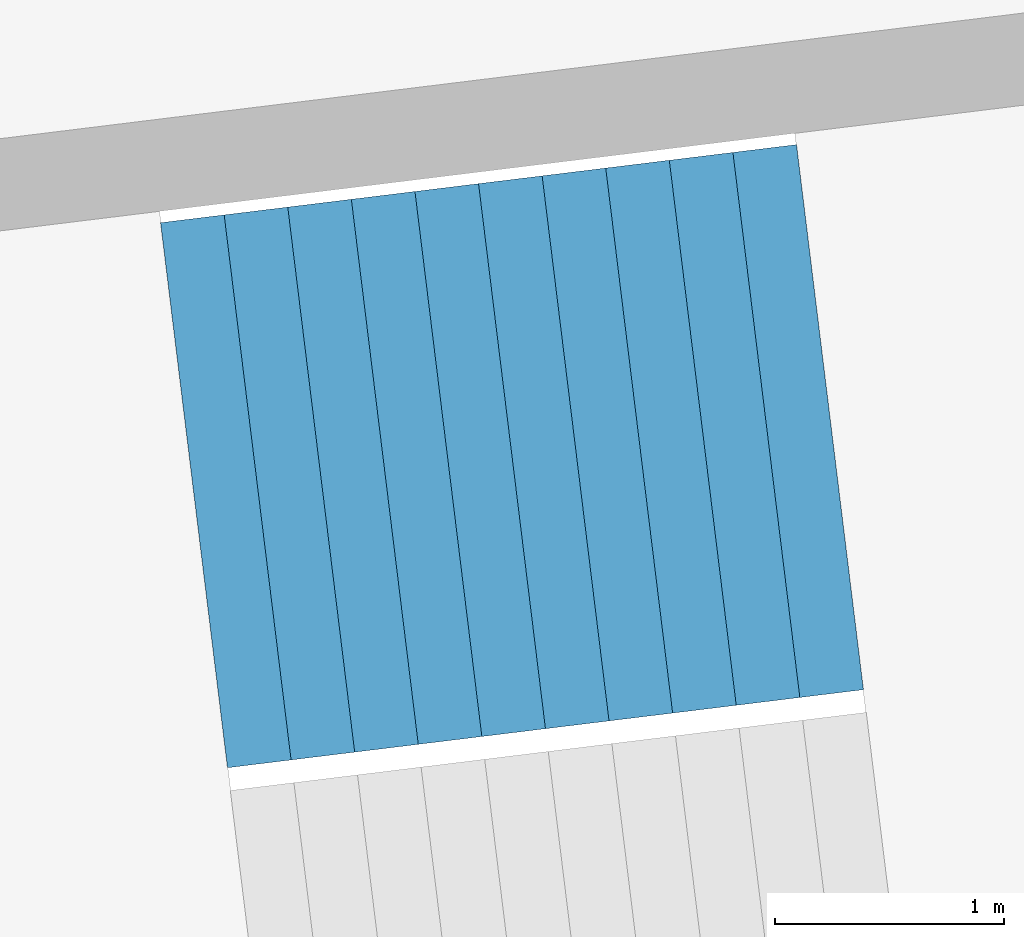
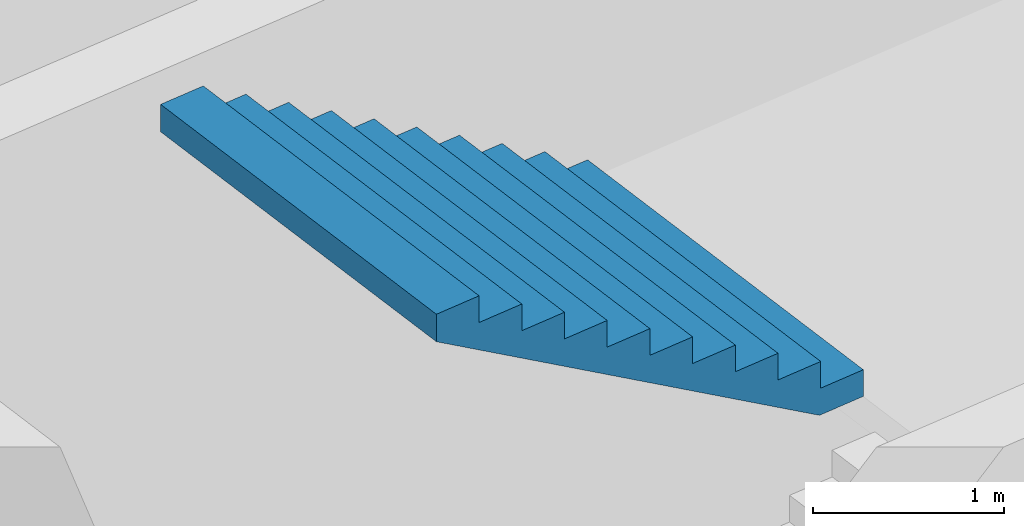
# One storey, part 60 of 73: 1 stair flight, 1 element without a shape of its own.
"""IFC4 building model written with IfcOpenShell, lengths in metres."""

import ifcopenshell
import ifcopenshell.guid

model = None  # the IFC model being written
_history = None  # IfcOwnerHistory: only IFC2X3 demands one
_inside = {}  # id of a spatial element -> (the spatial element, [elements in it])
_under = {}  # id of a project, library or spatial element -> (it, [spatial elements below it])
_declared = {}  # id of a project -> (the project, [libraries it declares])
_typed = {}  # id of a type object -> (the type object, [elements of that type])
_made_of = {}  # id of a material, layer set ... -> (it, [elements and type objects made of it])


def new_model(schema):
    """Start an empty IFC model of exactly this schema.

    Asked for "IFC4X3", IfcOpenShell would pick the latest addendum, in which some entities
    have other attributes; the version numbers below select the first issue.
    IFC2X3 requires an IfcOwnerHistory on every rooted entity: one is made here for all.
    """
    global model, _history
    if schema == "IFC4X3":
        model = ifcopenshell.file(schema_version=(4, 3, 0, 0))
    else:
        model = ifcopenshell.file(schema=schema)
    _inside.clear()
    _under.clear()
    _declared.clear()
    _typed.clear()
    _made_of.clear()
    _history = None
    if model.schema == "IFC2X3":
        org = make("IfcOrganization", Name="unknown")
        user = make(
            "IfcPersonAndOrganization",
            ThePerson=make("IfcPerson", FamilyName="unknown"),
            TheOrganization=org,
        )
        app = make(
            "IfcApplication",
            ApplicationDeveloper=org,
            Version="unknown",
            ApplicationFullName="unknown",
            ApplicationIdentifier="unknown",
        )
        _history = make(
            "IfcOwnerHistory",
            OwningUser=user,
            OwningApplication=app,
            ChangeAction="ADDED",
            CreationDate=0,
        )
    return model


def make(cls, **values):
    """One entity of the class cls with the attributes given. An attribute that is None is left unset."""
    return model.create_entity(
        cls, **{name: value for name, value in values.items() if value is not None}
    )


def rooted(cls, **values):
    """An entity with a GlobalId (a new one), such as an element, a storey or a relation."""
    return make(cls, GlobalId=ifcopenshell.guid.new(), OwnerHistory=_history, **values)


def si_unit(unit_type, name, prefix=None):
    """IfcSIUnit, for example si_unit("LENGTHUNIT", "METRE", prefix="MILLI")."""
    return make("IfcSIUnit", UnitType=unit_type, Prefix=prefix, Name=name)


def assignment(units):
    """IfcUnitAssignment: the units of a project."""
    return None if units is None else make("IfcUnitAssignment", Units=units)


def point(xyz):
    """IfcCartesianPoint."""
    return None if xyz is None else make("IfcCartesianPoint", Coordinates=xyz)


def direction(xyz):
    """IfcDirection."""
    return None if xyz is None else make("IfcDirection", DirectionRatios=xyz)


def frame(location, z_axis=None, x_axis=None):
    """IfcAxis2Placement3D, a coordinate frame: its origin and axes. An axis left out is left unset."""
    return make(
        "IfcAxis2Placement3D",
        Location=point(location),
        Axis=direction(z_axis),
        RefDirection=direction(x_axis),
    )


def origin():
    """The frame at (0, 0, 0) with its axes left unset."""
    return frame((0.0, 0.0, 0.0))


def place(relative_to, where):
    """IfcLocalPlacement: puts the frame where relative to a parent placement (None: the world)."""
    return make(
        "IfcLocalPlacement", PlacementRelTo=relative_to, RelativePlacement=where
    )


def context(
    kind, dimensions, precision=None, world=None, true_north=None, identifier=None
):
    """IfcGeometricRepresentationContext, for example the 3D "Model" context."""
    return make(
        "IfcGeometricRepresentationContext",
        ContextIdentifier=identifier,
        ContextType=kind,
        CoordinateSpaceDimension=dimensions,
        Precision=precision,
        WorldCoordinateSystem=world,
        TrueNorth=true_north,
    )


def subcontext(parent, identifier, kind, view, scale=None):
    """IfcGeometricRepresentationSubContext, for example "Body" below "Model"."""
    return make(
        "IfcGeometricRepresentationSubContext",
        ContextIdentifier=identifier,
        ContextType=kind,
        ParentContext=parent,
        TargetScale=scale,
        TargetView=view,
    )


def project(units=None, contexts=None):
    """IfcProject with its units and contexts."""
    return rooted(
        "IfcProject",
        Name="project",
        RepresentationContexts=contexts,
        UnitsInContext=assignment(units),
    )


def spatial(cls, under=None, at=None, **own):
    """A site, building, storey or space (cls), placed at a placement, below another one or the project."""
    s = rooted(cls, ObjectPlacement=at, **own)
    if under is not None:
        _under.setdefault(under.id(), (under, []))[1].append(s)
    return s


def point_list(points):
    """IfcCartesianPointList2D or 3D."""
    cls = (
        "IfcCartesianPointList2D" if len(points[0]) == 2 else "IfcCartesianPointList3D"
    )
    return make(cls, CoordList=points)


def triangles(points, corners, closed=None, point_numbers=None):
    """IfcTriangulatedFaceSet: each triangle names its three corners, points numbered from 1."""
    return make(
        "IfcTriangulatedFaceSet",
        Coordinates=point_list(points),
        Closed=closed,
        CoordIndex=corners,
        PnIndex=point_numbers,
    )


def shape(context_of_items, identifier, shape_type, items):
    """IfcShapeRepresentation: the items that make up one representation, for example the "Body"."""
    return make(
        "IfcShapeRepresentation",
        ContextOfItems=context_of_items,
        RepresentationIdentifier=identifier,
        RepresentationType=shape_type,
        Items=items,
    )


def material(Name=None, Category=None):
    """IfcMaterial."""
    return make("IfcMaterial", Name=Name, Category=Category)


def made_of(thing, what):
    """Note that an element or type object is made of a material, layer set ...; save() writes the relation."""
    if what is not None:
        _made_of.setdefault(what.id(), (what, []))[1].append(thing)
    return thing


def type_object(cls, material=None, **own):
    """A type object (cls), such as IfcWallType, which elements share."""
    return made_of(rooted(cls, **own), material)


def element(
    cls,
    number,
    at=None,
    inside=None,
    cuts=None,
    type_object=None,
    material=None,
    context=None,
    identifier="Body",
    shape_type=None,
    held_by="IfcProductDefinitionShape",
    body=None,
    shapes=None,
    **own,
):
    """One element of the class cls, such as IfcWall. Its Tag is "e" and its number.

    at: its placement. inside: the storey or other place that contains it. cuts: it is an
    opening in that element (IfcRelVoidsElement). A single representation is given by context,
    identifier, shape_type and body (its items); several are given by shapes. held_by: the class
    of the entity that holds the representations. save() writes the other relations.
    """
    e = rooted(cls, Tag="e%d" % number, ObjectPlacement=at, **own)
    if body is not None:
        shapes = [shape(context, identifier, shape_type, body)]
    if shapes is not None:
        e.Representation = make(held_by, Representations=shapes)
    if inside is not None:
        _inside.setdefault(inside.id(), (inside, []))[1].append(e)
    if cuts is not None:
        rooted(
            "IfcRelVoidsElement", RelatingBuildingElement=cuts, RelatedOpeningElement=e
        )
    if type_object is not None:
        _typed.setdefault(type_object.id(), (type_object, []))[1].append(e)
    return made_of(e, material)


def aggregate(whole, parts):
    """IfcRelAggregates: a whole, such as a stair, and the parts it consists of."""
    return rooted("IfcRelAggregates", RelatingObject=whole, RelatedObjects=parts)


def save(model, path):
    """Write the relations noted so far, then the file.

    IfcRelAggregates (storeys below a building ...), IfcRelContainedInSpatialStructure (elements
    in a storey), IfcRelDefinesByType, IfcRelAssociatesMaterial and IfcRelDeclares: one each for
    every whole, place, type object, material and project.
    """
    for whole, parts in _under.values():
        aggregate(whole, parts)
    for where, things in _inside.values():
        rooted(
            "IfcRelContainedInSpatialStructure",
            RelatedElements=things,
            RelatingStructure=where,
        )
    for kind, things in _typed.values():
        rooted("IfcRelDefinesByType", RelatedObjects=things, RelatingType=kind)
    for what, things in _made_of.values():
        rooted("IfcRelAssociatesMaterial", RelatedObjects=things, RelatingMaterial=what)
    for by, libraries in _declared.values():
        rooted("IfcRelDeclares", RelatingContext=by, RelatedDefinitions=libraries)
    model.write(path)


model = new_model("IFC4")

# Units and contexts
model_context = context("Model", 3, precision=1e-05, world=origin(), true_north=direction((0.0, 1.0)))
body_context = subcontext(model_context, "Body", "Model", "MODEL_VIEW")
ifc_project = project(units=[si_unit("LENGTHUNIT", "METRE"), si_unit("AREAUNIT", "SQUARE_METRE"), si_unit("VOLUMEUNIT", "CUBIC_METRE"), si_unit("PLANEANGLEUNIT", "RADIAN"), si_unit("MASSUNIT", "GRAM", prefix="KILO")], contexts=[model_context])

# Site, building, storey
site_placement = place(None, origin())
site = spatial("IfcSite", under=ifc_project, at=site_placement, CompositionType="ELEMENT")
building_placement = place(site_placement, origin())
building = spatial("IfcBuilding", under=site, at=building_placement, Name="Lantaw Convention Tower", CompositionType="ELEMENT")
storey_placement = place(building_placement, frame((0.0, 0.0, 14.5)))
storey = spatial("IfcBuildingStorey", under=building, at=storey_placement, Name="L02", CompositionType="ELEMENT", Elevation=14.5)

# Stair, stair flight
ifc_material = material(Name="Concrete C35/45", Category="concrete")
stair_type = type_object("IfcStairType", Name="Exit stair 2400 riser 170.45 in 4 flights", PredefinedType="HALF_TURN_STAIR", material=ifc_material)
stair_placement = place(storey_placement, origin())
stair = element("IfcStair", 1, at=stair_placement, inside=storey, type_object=stair_type, Name="Podium exit stair P1 L02", PredefinedType="HALF_TURN_STAIR")
stair_flight_type = type_object("IfcStairFlightType", Name="Stair flight 2400 riser 170.45", PredefinedType="STRAIGHT", material=ifc_material)
stair_flight_placement = place(storey_placement, frame((40.750732421875, 6.262939453125, 5.625), z_axis=(0.0, 0.0, 1.0), x_axis=(-0.992546151641, -0.121869343405, 0.0)))
stair_flight = element("IfcStairFlight", 2, at=stair_flight_placement, type_object=stair_flight_type, Name="P1 flight 4", NumberOfRisers=11, NumberOfTreads=10, PredefinedType="STRAIGHT", RiserHeight=0.170454545, TreadLength=0.28, context=body_context, shape_type="Tessellation", body=[
    triangles([(0.0, 1.199951171875, 0.0), (0.0, 1.199951171875, 0.170454545), (0.28, 1.199951171875, 0.0), (0.28, 1.199951171875, 0.170454545), (0.28, 1.199951171875, 0.34090909), (0.28827876332691904, 1.199951171875, 0.0), (0.28827876332691904, 1.199951171875, 0.34090909), (0.56, 1.199951171875, 0.16541471344266906), (0.56, 1.199951171875, 0.34090909), (0.56, 1.199951171875, 0.511363635), (0.8400000000000001, 1.199951171875, 0.335869258442669), (0.8400000000000001, 1.199951171875, 0.511363635), (0.8400000000000001, 1.199951171875, 0.68181818), (1.12, 1.199951171875, 0.506323803442669), (1.12, 1.199951171875, 0.68181818), (1.12, 1.199951171875, 0.8522727250000001), (1.4000000000000001, 1.199951171875, 0.676778348442669), (1.4000000000000001, 1.199951171875, 0.8522727250000001), (1.4000000000000001, 1.199951171875, 1.02272727), (1.6800000000000002, 1.199951171875, 0.847232893442669), (1.6800000000000002, 1.199951171875, 1.02272727), (1.6800000000000002, 1.199951171875, 1.193181815), (1.9600000000000002, 1.199951171875, 1.017687438442669), (1.9600000000000002, 1.199951171875, 1.193181815), (1.9600000000000002, 1.199951171875, 1.36363636), (2.24, 1.199951171875, 1.188141983442669), (2.24, 1.199951171875, 1.36363636), (2.24, 1.199951171875, 1.5340909050000002), (2.5200000000000005, 1.199951171875, 1.358596528442669), (2.5200000000000005, 1.199951171875, 1.5340909050000002), (2.5200000000000005, 1.199951171875, 1.7045454500000001), (2.8000000000000003, 1.199951171875, 1.529051073442669), (2.8000000000000003, 1.199951171875, 1.7045454500000001), (0.0, -1.199951171875, 0.0), (0.0, -1.199951171875, 0.170454545), (0.28, -1.199951171875, 0.0), (0.28, -1.199951171875, 0.170454545), (0.28, -1.199951171875, 0.34090909), (0.28827876332691904, -1.199951171875, 0.0), (0.28827876332691904, -1.199951171875, 0.34090909), (0.56, -1.199951171875, 0.16541471344266906), (0.56, -1.199951171875, 0.34090909), (0.56, -1.199951171875, 0.511363635), (0.8400000000000001, -1.199951171875, 0.335869258442669), (0.8400000000000001, -1.199951171875, 0.511363635), (0.8400000000000001, -1.199951171875, 0.68181818), (1.12, -1.199951171875, 0.506323803442669), (1.12, -1.199951171875, 0.68181818), (1.12, -1.199951171875, 0.8522727250000001), (1.4000000000000001, -1.199951171875, 0.676778348442669), (1.4000000000000001, -1.199951171875, 0.8522727250000001), (1.4000000000000001, -1.199951171875, 1.02272727), (1.6800000000000002, -1.199951171875, 0.847232893442669), (1.6800000000000002, -1.199951171875, 1.02272727), (1.6800000000000002, -1.199951171875, 1.193181815), (1.9600000000000002, -1.199951171875, 1.017687438442669), (1.9600000000000002, -1.199951171875, 1.193181815), (1.9600000000000002, -1.199951171875, 1.36363636), (2.24, -1.199951171875, 1.188141983442669), (2.24, -1.199951171875, 1.36363636), (2.24, -1.199951171875, 1.5340909050000002), (2.5200000000000005, -1.199951171875, 1.358596528442669), (2.5200000000000005, -1.199951171875, 1.5340909050000002), (2.5200000000000005, -1.199951171875, 1.7045454500000001), (2.8000000000000003, -1.199951171875, 1.529051073442669), (2.8000000000000003, -1.199951171875, 1.7045454500000001), (0.0, 0.239990234375, 0.170454545), (0.0, 0.239990234375, 0.0), (0.0, 0.1199951171875, 0.170454545), (0.0, 0.1199951171875, 0.0), (0.0, 0.0, 0.170454545), (0.0, 0.0, 0.0), (0.0, -0.1199951171875, 0.170454545), (0.0, -0.1199951171875, 0.0), (0.0, -0.239990234375, 0.170454545), (0.0, -0.239990234375, 0.0), (0.28, 0.239990234375, 0.34090909), (0.28, 0.239990234375, 0.170454545), (0.28, 0.1199951171875, 0.34090909), (0.28, 0.1199951171875, 0.170454545), (0.28, 0.0, 0.34090909), (0.28, 0.0, 0.170454545), (0.28, -0.1199951171875, 0.34090909), (0.28, -0.1199951171875, 0.170454545), (0.28, -0.239990234375, 0.34090909), (0.28, -0.239990234375, 0.170454545), (0.56, 0.239990234375, 0.511363635), (0.56, 0.239990234375, 0.34090909), (0.56, 0.1199951171875, 0.511363635), (0.56, 0.1199951171875, 0.34090909), (0.56, 0.0, 0.511363635), (0.56, 0.0, 0.34090909), (0.56, -0.1199951171875, 0.511363635), (0.56, -0.1199951171875, 0.34090909), (0.56, -0.239990234375, 0.511363635), (0.56, -0.239990234375, 0.34090909), (0.8400000000000001, 0.239990234375, 0.68181818), (0.8400000000000001, 0.239990234375, 0.511363635), (0.8400000000000001, 0.1199951171875, 0.68181818), (0.8400000000000001, 0.1199951171875, 0.511363635), (0.8400000000000001, 0.0, 0.68181818), (0.8400000000000001, 0.0, 0.511363635), (0.8400000000000001, -0.1199951171875, 0.68181818), (0.8400000000000001, -0.1199951171875, 0.511363635), (0.8400000000000001, -0.239990234375, 0.68181818), (0.8400000000000001, -0.239990234375, 0.511363635), (1.12, 0.239990234375, 0.8522727250000001), (1.12, 0.239990234375, 0.68181818), (1.12, 0.1199951171875, 0.8522727250000001), (1.12, 0.1199951171875, 0.68181818), (1.12, 0.0, 0.8522727250000001), (1.12, 0.0, 0.68181818), (1.12, -0.1199951171875, 0.8522727250000001), (1.12, -0.1199951171875, 0.68181818), (1.12, -0.239990234375, 0.8522727250000001), (1.12, -0.239990234375, 0.68181818), (1.4000000000000001, 0.239990234375, 1.02272727), (1.4000000000000001, 0.239990234375, 0.8522727250000001), (1.4000000000000001, 0.1199951171875, 1.02272727), (1.4000000000000001, 0.1199951171875, 0.8522727250000001), (1.4000000000000001, 0.0, 1.02272727), (1.4000000000000001, 0.0, 0.8522727250000001), (1.4000000000000001, -0.1199951171875, 1.02272727), (1.4000000000000001, -0.1199951171875, 0.8522727250000001), (1.4000000000000001, -0.239990234375, 1.02272727), (1.4000000000000001, -0.239990234375, 0.8522727250000001), (1.6800000000000002, 0.239990234375, 1.193181815), (1.6800000000000002, 0.239990234375, 1.02272727), (1.6800000000000002, 0.1199951171875, 1.193181815), (1.6800000000000002, 0.1199951171875, 1.02272727), (1.6800000000000002, 0.0, 1.193181815), (1.6800000000000002, 0.0, 1.02272727), (1.6800000000000002, -0.1199951171875, 1.193181815), (1.6800000000000002, -0.1199951171875, 1.02272727), (1.6800000000000002, -0.239990234375, 1.193181815), (1.6800000000000002, -0.239990234375, 1.02272727), (1.9600000000000002, 0.239990234375, 1.36363636), (1.9600000000000002, 0.239990234375, 1.193181815), (1.9600000000000002, 0.1199951171875, 1.36363636), (1.9600000000000002, 0.1199951171875, 1.193181815), (1.9600000000000002, 0.0, 1.36363636), (1.9600000000000002, 0.0, 1.193181815), (1.9600000000000002, -0.1199951171875, 1.36363636), (1.9600000000000002, -0.1199951171875, 1.193181815), (1.9600000000000002, -0.239990234375, 1.36363636), (1.9600000000000002, -0.239990234375, 1.193181815), (2.24, 0.239990234375, 1.5340909050000002), (2.24, 0.239990234375, 1.36363636), (2.24, 0.1199951171875, 1.5340909050000002), (2.24, 0.1199951171875, 1.36363636), (2.24, 0.0, 1.5340909050000002), (2.24, 0.0, 1.36363636), (2.24, -0.1199951171875, 1.5340909050000002), (2.24, -0.1199951171875, 1.36363636), (2.24, -0.239990234375, 1.5340909050000002), (2.24, -0.239990234375, 1.36363636), (2.5200000000000005, 0.239990234375, 1.7045454500000001), (2.5200000000000005, 0.239990234375, 1.5340909050000002), (2.5200000000000005, 0.1199951171875, 1.7045454500000001), (2.5200000000000005, 0.1199951171875, 1.5340909050000002), (2.5200000000000005, 0.0, 1.7045454500000001), (2.5200000000000005, 0.0, 1.5340909050000002), (2.5200000000000005, -0.1199951171875, 1.7045454500000001), (2.5200000000000005, -0.1199951171875, 1.5340909050000002), (2.5200000000000005, -0.239990234375, 1.7045454500000001), (2.5200000000000005, -0.239990234375, 1.5340909050000002), (0.28827876332691904, 0.239990234375, 0.34090909), (0.28827876332691904, 0.1199951171875, 0.34090909), (0.28827876332691904, 0.0, 0.34090909), (0.28827876332691904, -0.1199951171875, 0.34090909), (0.28827876332691904, -0.239990234375, 0.34090909), (2.8000000000000003, 0.239990234375, 1.7045454500000001), (2.8000000000000003, 0.1199951171875, 1.7045454500000001), (2.8000000000000003, 0.0, 1.7045454500000001), (2.8000000000000003, -0.1199951171875, 1.7045454500000001), (2.8000000000000003, -0.239990234375, 1.7045454500000001), (2.8000000000000003, 0.239990234375, 1.5290510734426692), (2.8000000000000003, 0.1199951171875, 1.5290510734426692), (2.8000000000000003, 0.0, 1.5290510734426692), (2.8000000000000003, -0.1199951171875, 1.5290510734426692), (2.8000000000000003, -0.239990234375, 1.5290510734426692), (2.5200000000000005, 0.239990234375, 1.358596528442669), (2.5200000000000005, 0.1199951171875, 1.358596528442669), (2.5200000000000005, 0.0, 1.358596528442669), (2.5200000000000005, -0.1199951171875, 1.358596528442669), (2.5200000000000005, -0.239990234375, 1.358596528442669), (2.24, 0.239990234375, 1.188141983442669), (2.24, 0.1199951171875, 1.188141983442669), (2.24, 0.0, 1.188141983442669), (2.24, -0.1199951171875, 1.188141983442669), (2.24, -0.239990234375, 1.188141983442669), (1.9600000000000002, 0.239990234375, 1.017687438442669), (1.9600000000000002, 0.1199951171875, 1.017687438442669), (1.9600000000000002, 0.0, 1.017687438442669), (1.9600000000000002, -0.1199951171875, 1.017687438442669), (1.9600000000000002, -0.239990234375, 1.017687438442669), (1.6800000000000002, 0.239990234375, 0.847232893442669), (1.6800000000000002, 0.1199951171875, 0.847232893442669), (1.6800000000000002, 0.0, 0.847232893442669), (1.6800000000000002, -0.1199951171875, 0.847232893442669), (1.6800000000000002, -0.239990234375, 0.847232893442669), (1.4000000000000001, 0.239990234375, 0.676778348442669), (1.4000000000000001, 0.1199951171875, 0.676778348442669), (1.4000000000000001, 0.0, 0.676778348442669), (1.4000000000000001, -0.1199951171875, 0.676778348442669), (1.4000000000000001, -0.239990234375, 0.676778348442669), (1.12, 0.239990234375, 0.506323803442669), (1.12, 0.1199951171875, 0.506323803442669), (1.12, 0.0, 0.506323803442669), (1.12, -0.1199951171875, 0.506323803442669), (1.12, -0.239990234375, 0.506323803442669), (0.8400000000000001, 0.239990234375, 0.335869258442669), (0.8400000000000001, 0.1199951171875, 0.335869258442669), (0.8400000000000001, 0.0, 0.335869258442669), (0.8400000000000001, -0.1199951171875, 0.335869258442669), (0.8400000000000001, -0.239990234375, 0.335869258442669), (0.56, 0.239990234375, 0.16541471344266906), (0.56, 0.1199951171875, 0.16541471344266906), (0.56, 0.0, 0.16541471344266906), (0.56, -0.1199951171875, 0.16541471344266906), (0.56, -0.239990234375, 0.16541471344266906), (0.28827876332691904, 0.239990234375, 0.0), (0.28827876332691904, 0.1199951171875, 0.0), (0.28827876332691904, 0.0, 0.0), (0.28827876332691904, -0.1199951171875, 0.0), (0.28827876332691904, -0.239990234375, 0.0), (0.28, 0.239990234375, 0.0), (0.28, 0.1199951171875, 0.0), (0.28, 0.0, 0.0), (0.28, -0.1199951171875, 0.0), (0.28, -0.239990234375, 0.0)], [[1, 4, 3], [1, 2, 4], [3, 4, 6], [4, 7, 6], [4, 5, 7], [6, 9, 8], [6, 7, 9], [8, 9, 11], [9, 12, 11], [9, 10, 12], [11, 12, 14], [12, 15, 14], [12, 13, 15], [14, 15, 17], [15, 18, 17], [15, 16, 18], [17, 18, 20], [18, 21, 20], [18, 19, 21], [20, 21, 23], [21, 24, 23], [21, 22, 24], [23, 24, 26], [24, 27, 26], [24, 25, 27], [26, 27, 29], [27, 30, 29], [27, 28, 30], [29, 30, 32], [30, 33, 32], [30, 31, 33], [34, 36, 37], [34, 37, 35], [36, 39, 37], [37, 39, 40], [37, 40, 38], [39, 41, 42], [39, 42, 40], [41, 44, 42], [42, 44, 45], [42, 45, 43], [44, 47, 45], [45, 47, 48], [45, 48, 46], [47, 50, 48], [48, 50, 51], [48, 51, 49], [50, 53, 51], [51, 53, 54], [51, 54, 52], [53, 56, 54], [54, 56, 57], [54, 57, 55], [56, 59, 57], [57, 59, 60], [57, 60, 58], [59, 62, 60], [60, 62, 63], [60, 63, 61], [62, 65, 63], [63, 65, 66], [63, 66, 64], [1, 67, 2], [1, 68, 67], [68, 69, 67], [68, 70, 69], [70, 71, 69], [70, 72, 71], [72, 73, 71], [72, 74, 73], [74, 75, 73], [74, 76, 75], [76, 35, 75], [76, 34, 35], [4, 77, 5], [4, 78, 77], [78, 79, 77], [78, 80, 79], [80, 81, 79], [80, 82, 81], [82, 83, 81], [82, 84, 83], [84, 85, 83], [84, 86, 85], [86, 38, 85], [86, 37, 38], [9, 87, 10], [9, 88, 87], [88, 89, 87], [88, 90, 89], [90, 91, 89], [90, 92, 91], [92, 93, 91], [92, 94, 93], [94, 95, 93], [94, 96, 95], [96, 43, 95], [96, 42, 43], [12, 97, 13], [12, 98, 97], [98, 99, 97], [98, 100, 99], [100, 101, 99], [100, 102, 101], [102, 103, 101], [102, 104, 103], [104, 105, 103], [104, 106, 105], [106, 46, 105], [106, 45, 46], [15, 107, 16], [15, 108, 107], [108, 109, 107], [108, 110, 109], [110, 111, 109], [110, 112, 111], [112, 113, 111], [112, 114, 113], [114, 115, 113], [114, 116, 115], [116, 49, 115], [116, 48, 49], [18, 117, 19], [18, 118, 117], [118, 119, 117], [118, 120, 119], [120, 121, 119], [120, 122, 121], [122, 123, 121], [122, 124, 123], [124, 125, 123], [124, 126, 125], [126, 52, 125], [126, 51, 52], [21, 127, 22], [21, 128, 127], [128, 129, 127], [128, 130, 129], [130, 131, 129], [130, 132, 131], [132, 133, 131], [132, 134, 133], [134, 135, 133], [134, 136, 135], [136, 55, 135], [136, 54, 55], [24, 137, 25], [24, 138, 137], [138, 139, 137], [138, 140, 139], [140, 141, 139], [140, 142, 141], [142, 143, 141], [142, 144, 143], [144, 145, 143], [144, 146, 145], [146, 58, 145], [146, 57, 58], [27, 147, 28], [27, 148, 147], [148, 149, 147], [148, 150, 149], [150, 151, 149], [150, 152, 151], [152, 153, 151], [152, 154, 153], [154, 155, 153], [154, 156, 155], [156, 61, 155], [156, 60, 61], [30, 157, 31], [30, 158, 157], [158, 159, 157], [158, 160, 159], [160, 161, 159], [160, 162, 161], [162, 163, 161], [162, 164, 163], [164, 165, 163], [164, 166, 165], [166, 64, 165], [166, 63, 64], [2, 78, 4], [2, 67, 78], [67, 80, 78], [67, 69, 80], [69, 82, 80], [69, 71, 82], [71, 84, 82], [71, 73, 84], [73, 86, 84], [73, 75, 86], [75, 37, 86], [75, 35, 37], [5, 167, 7], [5, 77, 167], [77, 168, 167], [77, 79, 168], [79, 169, 168], [79, 81, 169], [81, 170, 169], [81, 83, 170], [83, 171, 170], [83, 85, 171], [85, 40, 171], [85, 38, 40], [7, 88, 9], [7, 167, 88], [167, 90, 88], [167, 168, 90], [168, 92, 90], [168, 169, 92], [169, 94, 92], [169, 170, 94], [170, 96, 94], [170, 171, 96], [171, 42, 96], [171, 40, 42], [10, 98, 12], [10, 87, 98], [87, 100, 98], [87, 89, 100], [89, 102, 100], [89, 91, 102], [91, 104, 102], [91, 93, 104], [93, 106, 104], [93, 95, 106], [95, 45, 106], [95, 43, 45], [13, 108, 15], [13, 97, 108], [97, 110, 108], [97, 99, 110], [99, 112, 110], [99, 101, 112], [101, 114, 112], [101, 103, 114], [103, 116, 114], [103, 105, 116], [105, 48, 116], [105, 46, 48], [16, 118, 18], [16, 107, 118], [107, 120, 118], [107, 109, 120], [109, 122, 120], [109, 111, 122], [111, 124, 122], [111, 113, 124], [113, 126, 124], [113, 115, 126], [115, 51, 126], [115, 49, 51], [19, 128, 21], [19, 117, 128], [117, 130, 128], [117, 119, 130], [119, 132, 130], [119, 121, 132], [121, 134, 132], [121, 123, 134], [123, 136, 134], [123, 125, 136], [125, 54, 136], [125, 52, 54], [22, 138, 24], [22, 127, 138], [127, 140, 138], [127, 129, 140], [129, 142, 140], [129, 131, 142], [131, 144, 142], [131, 133, 144], [133, 146, 144], [133, 135, 146], [135, 57, 146], [135, 55, 57], [25, 148, 27], [25, 137, 148], [137, 150, 148], [137, 139, 150], [139, 152, 150], [139, 141, 152], [141, 154, 152], [141, 143, 154], [143, 156, 154], [143, 145, 156], [145, 60, 156], [145, 58, 60], [28, 158, 30], [28, 147, 158], [147, 160, 158], [147, 149, 160], [149, 162, 160], [149, 151, 162], [151, 164, 162], [151, 153, 164], [153, 166, 164], [153, 155, 166], [155, 63, 166], [155, 61, 63], [31, 172, 33], [31, 157, 172], [157, 173, 172], [157, 159, 173], [159, 174, 173], [159, 161, 174], [161, 175, 174], [161, 163, 175], [163, 176, 175], [163, 165, 176], [165, 66, 176], [165, 64, 66], [33, 177, 32], [33, 172, 177], [172, 178, 177], [172, 173, 178], [173, 179, 178], [173, 174, 179], [174, 180, 179], [174, 175, 180], [175, 181, 180], [175, 176, 181], [176, 65, 181], [176, 66, 65], [32, 182, 29], [32, 177, 182], [177, 183, 182], [177, 178, 183], [178, 184, 183], [178, 179, 184], [179, 185, 184], [179, 180, 185], [180, 186, 185], [180, 181, 186], [181, 62, 186], [181, 65, 62], [29, 187, 26], [29, 182, 187], [182, 188, 187], [182, 183, 188], [183, 189, 188], [183, 184, 189], [184, 190, 189], [184, 185, 190], [185, 191, 190], [185, 186, 191], [186, 59, 191], [186, 62, 59], [26, 192, 23], [26, 187, 192], [187, 193, 192], [187, 188, 193], [188, 194, 193], [188, 189, 194], [189, 195, 194], [189, 190, 195], [190, 196, 195], [190, 191, 196], [191, 56, 196], [191, 59, 56], [23, 197, 20], [23, 192, 197], [192, 198, 197], [192, 193, 198], [193, 199, 198], [193, 194, 199], [194, 200, 199], [194, 195, 200], [195, 201, 200], [195, 196, 201], [196, 53, 201], [196, 56, 53], [20, 202, 17], [20, 197, 202], [197, 203, 202], [197, 198, 203], [198, 204, 203], [198, 199, 204], [199, 205, 204], [199, 200, 205], [200, 206, 205], [200, 201, 206], [201, 50, 206], [201, 53, 50], [17, 207, 14], [17, 202, 207], [202, 208, 207], [202, 203, 208], [203, 209, 208], [203, 204, 209], [204, 210, 209], [204, 205, 210], [205, 211, 210], [205, 206, 211], [206, 47, 211], [206, 50, 47], [14, 212, 11], [14, 207, 212], [207, 213, 212], [207, 208, 213], [208, 214, 213], [208, 209, 214], [209, 215, 214], [209, 210, 215], [210, 216, 215], [210, 211, 216], [211, 44, 216], [211, 47, 44], [11, 217, 8], [11, 212, 217], [212, 218, 217], [212, 213, 218], [213, 219, 218], [213, 214, 219], [214, 220, 219], [214, 215, 220], [215, 221, 220], [215, 216, 221], [216, 41, 221], [216, 44, 41], [8, 222, 6], [8, 217, 222], [217, 223, 222], [217, 218, 223], [218, 224, 223], [218, 219, 224], [219, 225, 224], [219, 220, 225], [220, 226, 225], [220, 221, 226], [221, 39, 226], [221, 41, 39], [6, 227, 3], [6, 222, 227], [222, 228, 227], [222, 223, 228], [223, 229, 228], [223, 224, 229], [224, 230, 229], [224, 225, 230], [225, 231, 230], [225, 226, 231], [226, 36, 231], [226, 39, 36], [3, 68, 1], [3, 227, 68], [227, 70, 68], [227, 228, 70], [228, 72, 70], [228, 229, 72], [229, 74, 72], [229, 230, 74], [230, 76, 74], [230, 231, 76], [231, 34, 76], [231, 36, 34]], closed=True),
])
aggregate(stair, [stair_flight])

save(model, "model.ifc")
